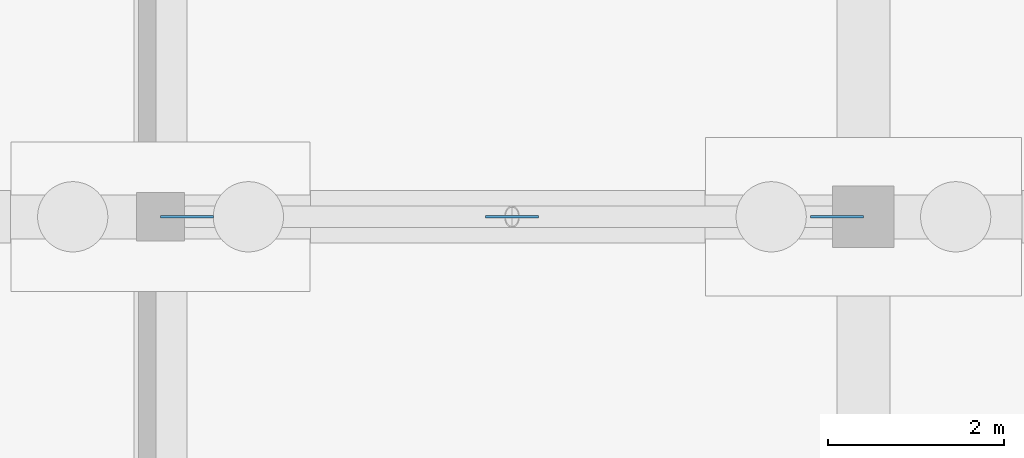
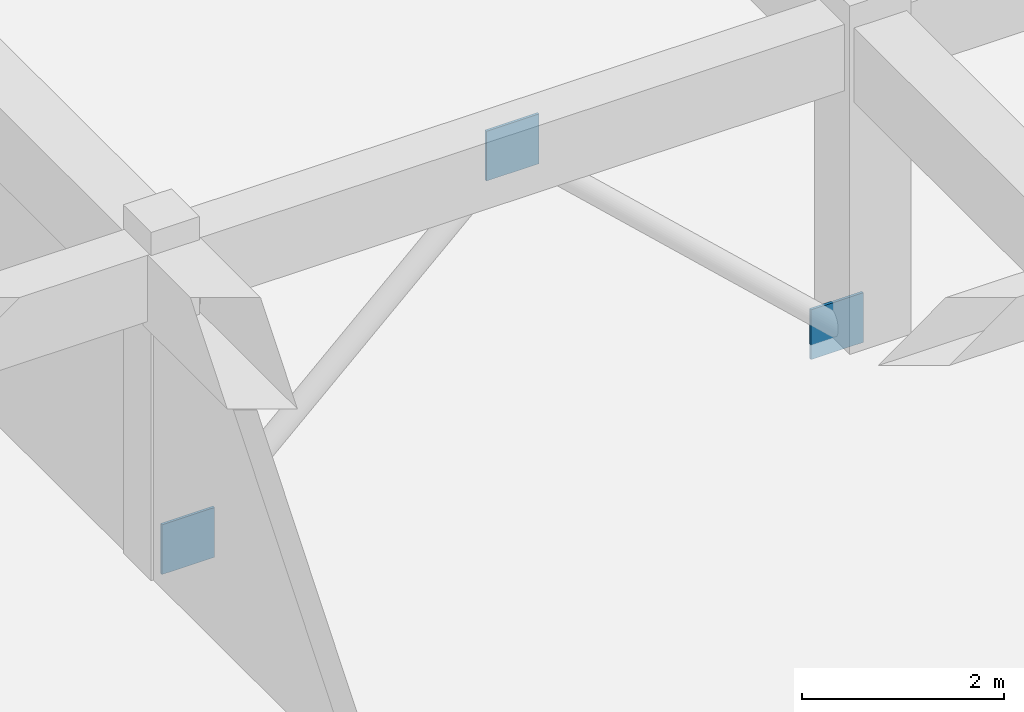
# One storey, part 21 of 36: 3 plates.
"""IFC4 building model written with IfcOpenShell, lengths in metres."""

from ifc_helpers import new_model, si_unit, direction, frame, origin, origin_2d, place, context, subcontext, project, spatial, rectangle, extrude, material, layer, layer_set, type_object, element, save


model = new_model("IFC4")

# Units and contexts
model_context = context("Model", 3, precision=1e-05, world=origin(), true_north=direction((0.0, 1.0)))
body_context = subcontext(model_context, "Body", "Model", "MODEL_VIEW")
ifc_project = project(units=[si_unit("LENGTHUNIT", "METRE"), si_unit("AREAUNIT", "SQUARE_METRE"), si_unit("VOLUMEUNIT", "CUBIC_METRE"), si_unit("PLANEANGLEUNIT", "RADIAN"), si_unit("MASSUNIT", "GRAM", prefix="KILO"), si_unit("THERMODYNAMICTEMPERATUREUNIT", "KELVIN"), si_unit("POWERUNIT", "WATT")], contexts=[model_context])

# Site, building, storey
site_placement = place(None, origin())
site = spatial("IfcSite", under=ifc_project, at=site_placement, CompositionType="ELEMENT")
building_placement = place(site_placement, origin())
building = spatial("IfcBuilding", under=site, at=building_placement, Name="Solvatero Civic Police Headquarters", CompositionType="ELEMENT")
storey_placement = place(building_placement, frame((0.0, 0.0, -8.39990234375)))
storey = spatial("IfcBuildingStorey", under=building, at=storey_placement, Name="B02", CompositionType="ELEMENT", Elevation=-8.39990234375)

# Plates
ifc_material = material(Name="Steel S355", Category="steel")
ifc_layer = layer(ifc_material, 0.030029296875)
ifc_layer_set = layer_set([ifc_layer], Name="Steel S355")
plate_type = type_object("IfcPlateType", Name="PLT-GUS-30", PredefinedType="SHEET", material=ifc_layer_set)
for number, where, z_axis, x_axis, name in (
    (1, (99.5, 100.5, 3.269775390625), (0.0, 0.0, 1.0), (1.0, 0.0, 0.0), "Gusset Plate BR-V7-INT2 APX B02"),
    (2, (95.800048828125, 100.5, -0.18017578125), (0.0, 0.0, 1.0), (1.0, 0.0, 0.0), "Gusset Plate BR-V7-INT2 BSL B02"),
    (3, (103.199951171875, 100.5, -0.18017578125), (0.0, 0.0, 1.0), (1.0, 0.0, 0.0), "Gusset Plate BR-V7-INT2 BSR B02"),
):
    element("IfcPlate", number, at=place(storey_placement, frame(where, z_axis=z_axis, x_axis=x_axis)), inside=storey, type_object=plate_type, Name=name, PredefinedType="SHEET", context=body_context, shape_type="SweptSolid", body=[
        extrude(rectangle(XDim=0.60009765625, YDim=0.030029296875, at=origin_2d()), origin(), (0.0, 0.0, 1.0), 0.60009765625),
    ])

save(model, "model.ifc")
